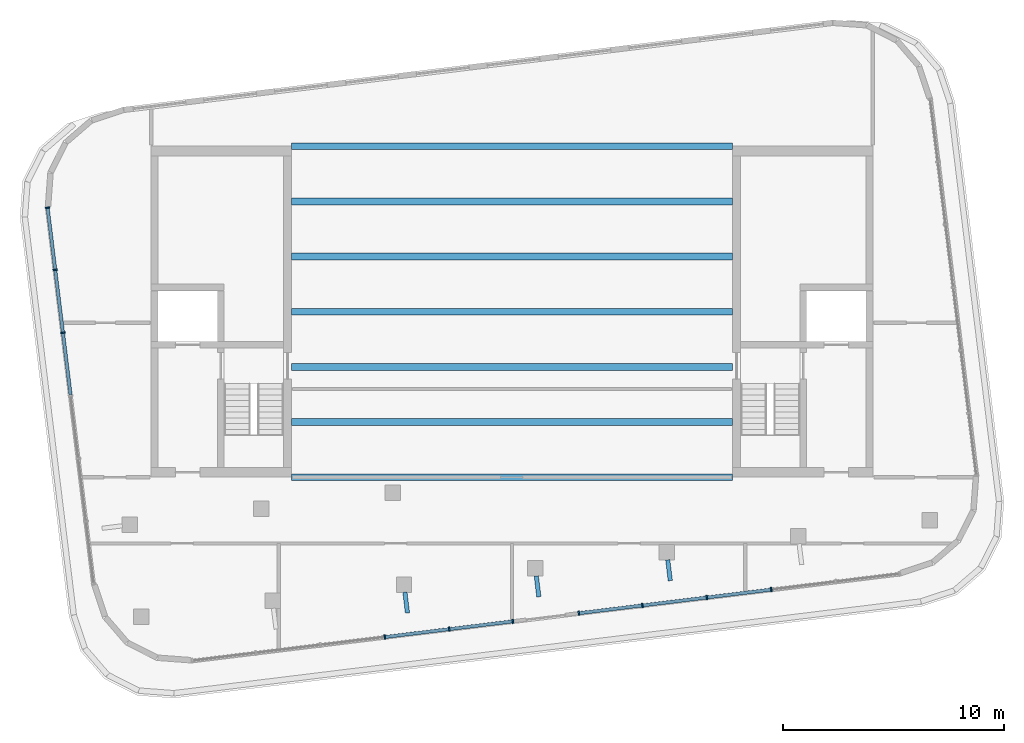
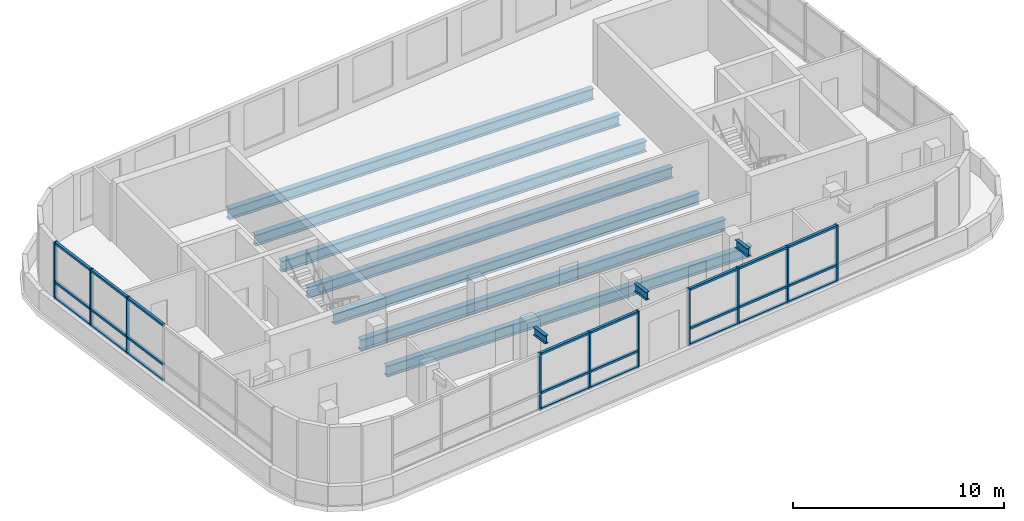
# One storey, part 2 of 8: 34 members, 10 beams, 3 elements without a shape of their own.
"""IFC4 building model written with IfcOpenShell, lengths in metres."""

from ifc_helpers import new_model, si_unit, direction, frame, origin, origin_2d, place, context, subcontext, project, spatial, rectangle, i_section, extrude, material, layer, layer_set, material_profile, profile_set, type_object, element, aggregate, save


model = new_model("IFC4")

# Units and contexts
model_context = context("Model", 3, precision=1e-05, world=origin(), true_north=direction((0.0, 1.0)))
body_context = subcontext(model_context, "Body", "Model", "MODEL_VIEW")
ifc_project = project(units=[si_unit("LENGTHUNIT", "METRE"), si_unit("AREAUNIT", "SQUARE_METRE"), si_unit("VOLUMEUNIT", "CUBIC_METRE"), si_unit("PLANEANGLEUNIT", "RADIAN"), si_unit("MASSUNIT", "GRAM", prefix="KILO")], contexts=[model_context])

# Site, building, storey
site_placement = place(None, origin())
site = spatial("IfcSite", under=ifc_project, at=site_placement, CompositionType="ELEMENT")
building_placement = place(site_placement, origin())
building = spatial("IfcBuilding", under=site, at=building_placement, Name="Torana Hotel and Residences", CompositionType="ELEMENT")
storey_placement = place(building_placement, frame((0.0, 0.0, 350.199951171875)))
storey = spatial("IfcBuildingStorey", under=building, at=storey_placement, Name="C2", CompositionType="ELEMENT", Elevation=350.199951171875)

# Beams
ifc_material_1 = material(Name="Steel S355", Category="steel")
ifc_material_profile_1 = material_profile(ifc_material_1, i_section(OverallWidth=0.19287109375, OverallDepth=0.46728515625, WebThickness=0.011474609375, FlangeThickness=0.01953125, FilletRadius=0.01025390625, at=origin_2d()), Name="457x191x98 UB")
ifc_profile_set_1 = profile_set([ifc_material_profile_1], Name="Steel S355")
beam_type_1 = type_object("IfcBeamType", Name="BALCONY CANTILEVER BEAM 457x191x98 UB", PredefinedType="BEAM", material=ifc_profile_set_1)
beam_1_placement = place(storey_placement, frame((-4.853271484375, -20.2060546875, 3.06640625), z_axis=(0.121891301525, -0.992543455277, 0.0), x_axis=(0.992543455277, 0.121891301525, 0.0)))
element("IfcBeam", 1, at=beam_1_placement, inside=storey, type_object=beam_type_1, Name="Balcony cantilever beam", PredefinedType="BEAM", context=body_context, shape_type="SweptSolid", body=[
    extrude(i_section(OverallWidth=0.19287109375, OverallDepth=0.46728515625, WebThickness=0.011474609375, FlangeThickness=0.01953125, FilletRadius=0.01025390625, at=origin_2d()), origin(), (0.0, 0.0, 1.0), 0.953369140625),
])
beam_2_placement = place(storey_placement, frame((1.101806640625, -19.47509765625, 3.06640625), z_axis=(0.121922289812, -0.992539649206, 0.0), x_axis=(0.992539649206, 0.121922289812, 0.0)))
element("IfcBeam", 2, at=beam_2_placement, inside=storey, type_object=beam_type_1, Name="Balcony cantilever beam", PredefinedType="BEAM", context=body_context, shape_type="SweptSolid", body=[
    extrude(i_section(OverallWidth=0.19287109375, OverallDepth=0.46728515625, WebThickness=0.011474609375, FlangeThickness=0.01953125, FilletRadius=0.01025390625, at=origin_2d()), origin(), (0.0, 0.0, 1.0), 0.953125),
])
beam_3_placement = place(storey_placement, frame((7.057861328125, -18.744140625, 3.06640625), z_axis=(0.121700887948, -0.99256682086, 0.0), x_axis=(0.99256682086, 0.121700887948, 0.0)))
element("IfcBeam", 3, at=beam_3_placement, inside=storey, type_object=beam_type_1, Name="Balcony cantilever beam", PredefinedType="BEAM", context=body_context, shape_type="SweptSolid", body=[
    extrude(i_section(OverallWidth=0.19287109375, OverallDepth=0.46728515625, WebThickness=0.011474609375, FlangeThickness=0.01953125, FilletRadius=0.01025390625, at=origin_2d()), origin(), (0.0, 0.0, 1.0), 0.952880859375),
])

# Curtain wall, members
ifc_material_2 = material(Name="Dark anodised aluminium", Category="aluminium")
ifc_layer = layer(ifc_material_2, 0.199951171875)
ifc_layer_set = layer_set([ifc_layer], Name="CW4 CROWN TERRACE GLAZING CURTAIN WALL")
curtain_wall_type = type_object("IfcCurtainWallType", Name="CW4 CROWN TERRACE GLAZING CURTAIN WALL", PredefinedType="NOTDEFINED", material=ifc_layer_set)
curtain_wall_1_placement = place(storey_placement, origin())
curtain_wall_1 = element("IfcCurtainWall", 4, at=curtain_wall_1_placement, inside=storey, type_object=curtain_wall_type, Name="Curtain wall CW4 C2 e0.9", PredefinedType="NOTDEFINED")
ifc_material_3 = material(Name="Dark anodised aluminium", Category="aluminium")
ifc_material_profile_2 = material_profile(ifc_material_3, rectangle(XDim=0.199951171875, YDim=0.070068359375, at=origin_2d()), Name="CW4 MULLION 70x200")
ifc_profile_set_2 = profile_set([ifc_material_profile_2], Name="Dark anodised aluminium")
member_type_1 = type_object("IfcMemberType", Name="CW4 MULLION 70x200", PredefinedType="MULLION", material=ifc_profile_set_2)
member_1_placement = place(storey_placement, frame((-21.04541015625, -2.7890625, 0.0), z_axis=(0.0, 0.0, 1.0), x_axis=(0.992546226576, 0.121868733109, 0.0)))
member_1 = element("IfcMember", 5, at=member_1_placement, type_object=member_type_1, Name="CW4 mullion 1", PredefinedType="MULLION", context=body_context, shape_type="SweptSolid", body=[
    extrude(rectangle(XDim=0.199951171875, YDim=0.070068359375, at=origin_2d()), origin(), (0.0, 0.0, 1.0), 3.320068359375),
])
member_2_placement = place(storey_placement, frame((-20.69970703125, -5.604736328125, 0.0), z_axis=(0.0, 0.0, 1.0), x_axis=(0.992546226576, 0.121868733109, 0.0)))
member_2 = element("IfcMember", 6, at=member_2_placement, type_object=member_type_1, Name="CW4 mullion 2", PredefinedType="MULLION", context=body_context, shape_type="SweptSolid", body=[
    extrude(rectangle(XDim=0.199951171875, YDim=0.070068359375, at=origin_2d()), origin(), (0.0, 0.0, 1.0), 3.320068359375),
])
member_3_placement = place(storey_placement, frame((-20.349853515625, -8.455078125, 0.0), z_axis=(0.0, 0.0, 1.0), x_axis=(0.992546226576, 0.121868733109, 0.0)))
member_3 = element("IfcMember", 7, at=member_3_placement, type_object=member_type_1, Name="CW4 mullion 3", PredefinedType="MULLION", context=body_context, shape_type="SweptSolid", body=[
    extrude(rectangle(XDim=0.199951171875, YDim=0.070068359375, at=origin_2d()), origin(), (0.0, 0.0, 1.0), 3.320068359375),
])

curtain_wall_2_placement = place(storey_placement, origin())
curtain_wall_2 = element("IfcCurtainWall", 8, at=curtain_wall_2_placement, inside=storey, type_object=curtain_wall_type, Name="Curtain wall CW4 C2 e0.14-1", PredefinedType="NOTDEFINED")
member_4_placement = place(storey_placement, frame((-5.763427734375, -22.2421875, 0.0), z_axis=(0.0, 0.0, 1.0), x_axis=(-0.121863328667, 0.99254689014, 0.0)))
member_4 = element("IfcMember", 9, at=member_4_placement, type_object=member_type_1, Name="CW4 mullion 4", PredefinedType="MULLION", context=body_context, shape_type="SweptSolid", body=[
    extrude(rectangle(XDim=0.199951171875, YDim=0.070068359375, at=origin_2d()), origin(), (0.0, 0.0, 1.0), 3.320068359375),
])
member_5_placement = place(storey_placement, frame((-2.84423828125, -21.8837890625, 0.0), z_axis=(0.0, 0.0, 1.0), x_axis=(-0.121863328667, 0.99254689014, 0.0)))
member_5 = element("IfcMember", 10, at=member_5_placement, type_object=member_type_1, Name="CW4 mullion 5", PredefinedType="MULLION", context=body_context, shape_type="SweptSolid", body=[
    extrude(rectangle(XDim=0.199951171875, YDim=0.070068359375, at=origin_2d()), origin(), (0.0, 0.0, 1.0), 3.320068359375),
])
member_6_placement = place(storey_placement, frame((0.0400390625, -21.52978515625, 0.0), z_axis=(0.0, 0.0, 1.0), x_axis=(-0.121863328667, 0.99254689014, 0.0)))
member_6 = element("IfcMember", 11, at=member_6_placement, type_object=member_type_1, Name="CW4 mullion 6", PredefinedType="MULLION", context=body_context, shape_type="SweptSolid", body=[
    extrude(rectangle(XDim=0.199951171875, YDim=0.070068359375, at=origin_2d()), origin(), (0.0, 0.0, 1.0), 3.320068359375),
])

curtain_wall_3_placement = place(storey_placement, origin())
curtain_wall_3 = element("IfcCurtainWall", 12, at=curtain_wall_3_placement, inside=storey, type_object=curtain_wall_type, Name="Curtain wall CW4 C2 e0.14-2", PredefinedType="NOTDEFINED")
member_7_placement = place(storey_placement, frame((3.028564453125, -21.162841796875, 0.0), z_axis=(0.0, 0.0, 1.0), x_axis=(-0.12187002807, 0.992546067575, 0.0)))
member_7 = element("IfcMember", 13, at=member_7_placement, type_object=member_type_1, Name="CW4 mullion 1", PredefinedType="MULLION", context=body_context, shape_type="SweptSolid", body=[
    extrude(rectangle(XDim=0.199951171875, YDim=0.070068359375, at=origin_2d()), origin(), (0.0, 0.0, 1.0), 3.320068359375),
])
member_8_placement = place(storey_placement, frame((5.912841796875, -20.80859375, 0.0), z_axis=(0.0, 0.0, 1.0), x_axis=(-0.12187002807, 0.992546067575, 0.0)))
member_8 = element("IfcMember", 14, at=member_8_placement, type_object=member_type_1, Name="CW4 mullion 2", PredefinedType="MULLION", context=body_context, shape_type="SweptSolid", body=[
    extrude(rectangle(XDim=0.199951171875, YDim=0.070068359375, at=origin_2d()), origin(), (0.0, 0.0, 1.0), 3.320068359375),
])
member_9_placement = place(storey_placement, frame((8.83203125, -20.4501953125, 0.0), z_axis=(0.0, 0.0, 1.0), x_axis=(-0.12187002807, 0.992546067575, 0.0)))
member_9 = element("IfcMember", 15, at=member_9_placement, type_object=member_type_1, Name="CW4 mullion 3", PredefinedType="MULLION", context=body_context, shape_type="SweptSolid", body=[
    extrude(rectangle(XDim=0.199951171875, YDim=0.070068359375, at=origin_2d()), origin(), (0.0, 0.0, 1.0), 3.320068359375),
])
member_10_placement = place(storey_placement, frame((11.7509765625, -20.091796875, 0.0), z_axis=(0.0, 0.0, 1.0), x_axis=(-0.12187002807, 0.992546067575, 0.0)))
member_10 = element("IfcMember", 16, at=member_10_placement, type_object=member_type_1, Name="CW4 mullion 4", PredefinedType="MULLION", context=body_context, shape_type="SweptSolid", body=[
    extrude(rectangle(XDim=0.199951171875, YDim=0.070068359375, at=origin_2d()), origin(), (0.0, 0.0, 1.0), 3.320068359375),
])

# Member
ifc_material_4 = material(Name="Dark anodised aluminium", Category="aluminium")
ifc_material_profile_3 = material_profile(ifc_material_4, rectangle(XDim=0.14990234375, YDim=0.1201171875, at=origin_2d()), Name="CW4 TRANSOM 150x120")
ifc_profile_set_3 = profile_set([ifc_material_profile_3], Name="Dark anodised aluminium")
member_type_2 = type_object("IfcMemberType", Name="CW4 TRANSOM 150x120", PredefinedType="USERDEFINED", material=ifc_profile_set_3)
member_11_placement = place(storey_placement, frame((-21.041259765625, -2.823974609375, 0.06005859375), z_axis=(0.121862324462, -0.992547013434, 0.0), x_axis=(0.992547013434, 0.121862324462, 0.0)))
member_11 = element("IfcMember", 17, at=member_11_placement, type_object=member_type_2, Name="CW4 transom 1.1", ObjectType="TRANSOM", PredefinedType="USERDEFINED", context=body_context, shape_type="SweptSolid", body=[
    extrude(rectangle(XDim=0.14990234375, YDim=0.1201171875, at=origin_2d()), origin(), (0.0, 0.0, 1.0), 2.7666015625),
])

member_12_placement = place(storey_placement, frame((-21.041259765625, -2.823974609375, 1.0), z_axis=(0.121862324462, -0.992547013434, 0.0), x_axis=(0.992547013434, 0.121862324462, 0.0)))
member_12 = element("IfcMember", 18, at=member_12_placement, type_object=member_type_2, Name="CW4 transom 1.2", ObjectType="TRANSOM", PredefinedType="USERDEFINED", context=body_context, shape_type="SweptSolid", body=[
    extrude(rectangle(XDim=0.14990234375, YDim=0.1201171875, at=origin_2d()), origin(), (0.0, 0.0, 1.0), 2.7666015625),
])

member_13_placement = place(storey_placement, frame((-21.041259765625, -2.823974609375, 3.260009765625), z_axis=(0.121862324462, -0.992547013434, 0.0), x_axis=(0.992547013434, 0.121862324462, 0.0)))
member_13 = element("IfcMember", 19, at=member_13_placement, type_object=member_type_2, Name="CW4 transom 1.3", ObjectType="TRANSOM", PredefinedType="USERDEFINED", context=body_context, shape_type="SweptSolid", body=[
    extrude(rectangle(XDim=0.14990234375, YDim=0.1201171875, at=origin_2d()), origin(), (0.0, 0.0, 1.0), 2.7666015625),
])

member_14_placement = place(storey_placement, frame((-20.695556640625, -5.6396484375, 0.06005859375), z_axis=(0.121910880583, -0.992541050635, 0.0), x_axis=(0.992541050635, 0.121910880583, 0.0)))
member_14 = element("IfcMember", 20, at=member_14_placement, type_object=member_type_2, Name="CW4 transom 2.1", ObjectType="TRANSOM", PredefinedType="USERDEFINED", context=body_context, shape_type="SweptSolid", body=[
    extrude(rectangle(XDim=0.14990234375, YDim=0.1201171875, at=origin_2d()), origin(), (0.0, 0.0, 1.0), 2.8017578125),
])

member_15_placement = place(storey_placement, frame((-20.695556640625, -5.6396484375, 1.0), z_axis=(0.121910880583, -0.992541050635, 0.0), x_axis=(0.992541050635, 0.121910880583, 0.0)))
member_15 = element("IfcMember", 21, at=member_15_placement, type_object=member_type_2, Name="CW4 transom 2.2", ObjectType="TRANSOM", PredefinedType="USERDEFINED", context=body_context, shape_type="SweptSolid", body=[
    extrude(rectangle(XDim=0.14990234375, YDim=0.1201171875, at=origin_2d()), origin(), (0.0, 0.0, 1.0), 2.8017578125),
])

member_16_placement = place(storey_placement, frame((-20.695556640625, -5.6396484375, 3.260009765625), z_axis=(0.121910880583, -0.992541050635, 0.0), x_axis=(0.992541050635, 0.121910880583, 0.0)))
member_16 = element("IfcMember", 22, at=member_16_placement, type_object=member_type_2, Name="CW4 transom 2.3", ObjectType="TRANSOM", PredefinedType="USERDEFINED", context=body_context, shape_type="SweptSolid", body=[
    extrude(rectangle(XDim=0.14990234375, YDim=0.1201171875, at=origin_2d()), origin(), (0.0, 0.0, 1.0), 2.8017578125),
])

member_17_placement = place(storey_placement, frame((-20.345458984375, -8.489990234375, 0.06005859375), z_axis=(0.121910880583, -0.992541050635, 0.0), x_axis=(0.992541050635, 0.121910880583, 0.0)))
member_17 = element("IfcMember", 23, at=member_17_placement, type_object=member_type_2, Name="CW4 transom 3.1", ObjectType="TRANSOM", PredefinedType="USERDEFINED", context=body_context, shape_type="SweptSolid", body=[
    extrude(rectangle(XDim=0.14990234375, YDim=0.1201171875, at=origin_2d()), origin(), (0.0, 0.0, 1.0), 2.8017578125),
])

member_18_placement = place(storey_placement, frame((-20.345458984375, -8.489990234375, 1.0), z_axis=(0.121910880583, -0.992541050635, 0.0), x_axis=(0.992541050635, 0.121910880583, 0.0)))
member_18 = element("IfcMember", 24, at=member_18_placement, type_object=member_type_2, Name="CW4 transom 3.2", ObjectType="TRANSOM", PredefinedType="USERDEFINED", context=body_context, shape_type="SweptSolid", body=[
    extrude(rectangle(XDim=0.14990234375, YDim=0.1201171875, at=origin_2d()), origin(), (0.0, 0.0, 1.0), 2.8017578125),
])

member_19_placement = place(storey_placement, frame((-20.345458984375, -8.489990234375, 3.260009765625), z_axis=(0.121910880583, -0.992541050635, 0.0), x_axis=(0.992541050635, 0.121910880583, 0.0)))
member_19 = element("IfcMember", 25, at=member_19_placement, type_object=member_type_2, Name="CW4 transom 3.3", ObjectType="TRANSOM", PredefinedType="USERDEFINED", context=body_context, shape_type="SweptSolid", body=[
    extrude(rectangle(XDim=0.14990234375, YDim=0.1201171875, at=origin_2d()), origin(), (0.0, 0.0, 1.0), 2.8017578125),
])

aggregate(curtain_wall_1, [member_1, member_2, member_3, member_11, member_12, member_13, member_14, member_15, member_16, member_17, member_18, member_19])

member_20_placement = place(storey_placement, frame((-5.728515625, -22.238037109375, 0.06005859375), z_axis=(0.992547605974, 0.121857498232, 0.0), x_axis=(-0.121857498232, 0.992547605974, 0.0)))
member_20 = element("IfcMember", 26, at=member_20_placement, type_object=member_type_2, Name="CW4 transom 4.1", ObjectType="TRANSOM", PredefinedType="USERDEFINED", context=body_context, shape_type="SweptSolid", body=[
    extrude(rectangle(XDim=0.14990234375, YDim=0.1201171875, at=origin_2d()), origin(), (0.0, 0.0, 1.0), 2.87109375),
])

member_21_placement = place(storey_placement, frame((-5.728515625, -22.238037109375, 1.0), z_axis=(0.992547605974, 0.121857498232, 0.0), x_axis=(-0.121857498232, 0.992547605974, 0.0)))
member_21 = element("IfcMember", 27, at=member_21_placement, type_object=member_type_2, Name="CW4 transom 4.2", ObjectType="TRANSOM", PredefinedType="USERDEFINED", context=body_context, shape_type="SweptSolid", body=[
    extrude(rectangle(XDim=0.14990234375, YDim=0.1201171875, at=origin_2d()), origin(), (0.0, 0.0, 1.0), 2.87109375),
])

member_22_placement = place(storey_placement, frame((-5.728515625, -22.238037109375, 3.260009765625), z_axis=(0.992547605974, 0.121857498232, 0.0), x_axis=(-0.121857498232, 0.992547605974, 0.0)))
member_22 = element("IfcMember", 28, at=member_22_placement, type_object=member_type_2, Name="CW4 transom 4.3", ObjectType="TRANSOM", PredefinedType="USERDEFINED", context=body_context, shape_type="SweptSolid", body=[
    extrude(rectangle(XDim=0.14990234375, YDim=0.1201171875, at=origin_2d()), origin(), (0.0, 0.0, 1.0), 2.87109375),
])

member_23_placement = place(storey_placement, frame((-2.8095703125, -21.879638671875, 0.06005859375), z_axis=(0.992543089848, 0.121894277123, 0.0), x_axis=(-0.121894277123, 0.992543089848, 0.0)))
member_23 = element("IfcMember", 29, at=member_23_placement, type_object=member_type_2, Name="CW4 transom 5.1", ObjectType="TRANSOM", PredefinedType="USERDEFINED", context=body_context, shape_type="SweptSolid", body=[
    extrude(rectangle(XDim=0.14990234375, YDim=0.1201171875, at=origin_2d()), origin(), (0.0, 0.0, 1.0), 2.836181640625),
])

member_24_placement = place(storey_placement, frame((-2.8095703125, -21.879638671875, 1.0), z_axis=(0.992543089848, 0.121894277123, 0.0), x_axis=(-0.121894277123, 0.992543089848, 0.0)))
member_24 = element("IfcMember", 30, at=member_24_placement, type_object=member_type_2, Name="CW4 transom 5.2", ObjectType="TRANSOM", PredefinedType="USERDEFINED", context=body_context, shape_type="SweptSolid", body=[
    extrude(rectangle(XDim=0.14990234375, YDim=0.1201171875, at=origin_2d()), origin(), (0.0, 0.0, 1.0), 2.836181640625),
])

member_25_placement = place(storey_placement, frame((-2.8095703125, -21.879638671875, 3.260009765625), z_axis=(0.992543089848, 0.121894277123, 0.0), x_axis=(-0.121894277123, 0.992543089848, 0.0)))
member_25 = element("IfcMember", 31, at=member_25_placement, type_object=member_type_2, Name="CW4 transom 5.3", ObjectType="TRANSOM", PredefinedType="USERDEFINED", context=body_context, shape_type="SweptSolid", body=[
    extrude(rectangle(XDim=0.14990234375, YDim=0.1201171875, at=origin_2d()), origin(), (0.0, 0.0, 1.0), 2.836181640625),
])

aggregate(curtain_wall_2, [member_4, member_5, member_6, member_20, member_21, member_22, member_23, member_24, member_25])

member_26_placement = place(storey_placement, frame((3.063232421875, -21.158447265625, 0.06005859375), z_axis=(0.992543089848, 0.121894277123, 0.0), x_axis=(-0.121894277123, 0.992543089848, 0.0)))
member_26 = element("IfcMember", 32, at=member_26_placement, type_object=member_type_2, Name="CW4 transom 1.1", ObjectType="TRANSOM", PredefinedType="USERDEFINED", context=body_context, shape_type="SweptSolid", body=[
    extrude(rectangle(XDim=0.14990234375, YDim=0.1201171875, at=origin_2d()), origin(), (0.0, 0.0, 1.0), 2.836181640625),
])

member_27_placement = place(storey_placement, frame((3.063232421875, -21.158447265625, 1.0), z_axis=(0.992543089848, 0.121894277123, 0.0), x_axis=(-0.121894277123, 0.992543089848, 0.0)))
member_27 = element("IfcMember", 33, at=member_27_placement, type_object=member_type_2, Name="CW4 transom 1.2", ObjectType="TRANSOM", PredefinedType="USERDEFINED", context=body_context, shape_type="SweptSolid", body=[
    extrude(rectangle(XDim=0.14990234375, YDim=0.1201171875, at=origin_2d()), origin(), (0.0, 0.0, 1.0), 2.836181640625),
])

member_28_placement = place(storey_placement, frame((3.063232421875, -21.158447265625, 3.260009765625), z_axis=(0.992543089848, 0.121894277123, 0.0), x_axis=(-0.121894277123, 0.992543089848, 0.0)))
member_28 = element("IfcMember", 34, at=member_28_placement, type_object=member_type_2, Name="CW4 transom 1.3", ObjectType="TRANSOM", PredefinedType="USERDEFINED", context=body_context, shape_type="SweptSolid", body=[
    extrude(rectangle(XDim=0.14990234375, YDim=0.1201171875, at=origin_2d()), origin(), (0.0, 0.0, 1.0), 2.836181640625),
])

member_29_placement = place(storey_placement, frame((5.947509765625, -20.80419921875, 0.06005859375), z_axis=(0.992547605974, 0.121857498232, 0.0), x_axis=(-0.121857498232, 0.992547605974, 0.0)))
member_29 = element("IfcMember", 35, at=member_29_placement, type_object=member_type_2, Name="CW4 transom 2.1", ObjectType="TRANSOM", PredefinedType="USERDEFINED", context=body_context, shape_type="SweptSolid", body=[
    extrude(rectangle(XDim=0.14990234375, YDim=0.1201171875, at=origin_2d()), origin(), (0.0, 0.0, 1.0), 2.87109375),
])

member_30_placement = place(storey_placement, frame((5.947509765625, -20.80419921875, 1.0), z_axis=(0.992547605974, 0.121857498232, 0.0), x_axis=(-0.121857498232, 0.992547605974, 0.0)))
member_30 = element("IfcMember", 36, at=member_30_placement, type_object=member_type_2, Name="CW4 transom 2.2", ObjectType="TRANSOM", PredefinedType="USERDEFINED", context=body_context, shape_type="SweptSolid", body=[
    extrude(rectangle(XDim=0.14990234375, YDim=0.1201171875, at=origin_2d()), origin(), (0.0, 0.0, 1.0), 2.87109375),
])

member_31_placement = place(storey_placement, frame((5.947509765625, -20.80419921875, 3.260009765625), z_axis=(0.992547605974, 0.121857498232, 0.0), x_axis=(-0.121857498232, 0.992547605974, 0.0)))
member_31 = element("IfcMember", 37, at=member_31_placement, type_object=member_type_2, Name="CW4 transom 2.3", ObjectType="TRANSOM", PredefinedType="USERDEFINED", context=body_context, shape_type="SweptSolid", body=[
    extrude(rectangle(XDim=0.14990234375, YDim=0.1201171875, at=origin_2d()), origin(), (0.0, 0.0, 1.0), 2.87109375),
])

member_32_placement = place(storey_placement, frame((8.86669921875, -20.44580078125, 0.06005859375), z_axis=(0.992547605974, 0.121857498232, 0.0), x_axis=(-0.121857498232, 0.992547605974, 0.0)))
member_32 = element("IfcMember", 38, at=member_32_placement, type_object=member_type_2, Name="CW4 transom 3.1", ObjectType="TRANSOM", PredefinedType="USERDEFINED", context=body_context, shape_type="SweptSolid", body=[
    extrude(rectangle(XDim=0.14990234375, YDim=0.1201171875, at=origin_2d()), origin(), (0.0, 0.0, 1.0), 2.87109375),
])

member_33_placement = place(storey_placement, frame((8.86669921875, -20.44580078125, 1.0), z_axis=(0.992547605974, 0.121857498232, 0.0), x_axis=(-0.121857498232, 0.992547605974, 0.0)))
member_33 = element("IfcMember", 39, at=member_33_placement, type_object=member_type_2, Name="CW4 transom 3.2", ObjectType="TRANSOM", PredefinedType="USERDEFINED", context=body_context, shape_type="SweptSolid", body=[
    extrude(rectangle(XDim=0.14990234375, YDim=0.1201171875, at=origin_2d()), origin(), (0.0, 0.0, 1.0), 2.87109375),
])

member_34_placement = place(storey_placement, frame((8.86669921875, -20.44580078125, 3.260009765625), z_axis=(0.992547605974, 0.121857498232, 0.0), x_axis=(-0.121857498232, 0.992547605974, 0.0)))
member_34 = element("IfcMember", 40, at=member_34_placement, type_object=member_type_2, Name="CW4 transom 3.3", ObjectType="TRANSOM", PredefinedType="USERDEFINED", context=body_context, shape_type="SweptSolid", body=[
    extrude(rectangle(XDim=0.14990234375, YDim=0.1201171875, at=origin_2d()), origin(), (0.0, 0.0, 1.0), 2.87109375),
])

aggregate(curtain_wall_3, [member_7, member_8, member_9, member_10, member_26, member_27, member_28, member_29, member_30, member_31, member_32, member_33, member_34])

# Beams
ifc_material_5 = material(Name="Steel S355", Category="steel")
ifc_material_profile_4 = material_profile(ifc_material_5, i_section(OverallWidth=0.311279296875, OverallDepth=0.6357421875, WebThickness=0.018310546875, FlangeThickness=0.031494140625, FilletRadius=0.0166015625, at=origin_2d()), Name="610x305x238 UB")
ifc_profile_set_4 = profile_set([ifc_material_profile_4], Name="Steel S355")
beam_type_2 = type_object("IfcBeamType", Name="STEEL GIRDER 610x305x238 UB", PredefinedType="BEAM", material=ifc_profile_set_4)
for number, where, z_axis, x_axis, name in (
    (41, (-10.0, -15.0, -0.597900390625), (1.0, 0.0, 0.0), (0.0, 1.0, 0.0), "Floor girder"),
    (42, (-10.0, -12.5, -0.597900390625), (1.0, 0.0, 0.0), (0.0, 1.0, 0.0), "Floor girder"),
    (43, (-10.0, -10.0, -0.597900390625), (1.0, 0.0, 0.0), (0.0, 1.0, 0.0), "Floor girder"),
    (44, (-10.0, -7.5, -0.597900390625), (1.0, 0.0, 0.0), (0.0, 1.0, 0.0), "Floor girder"),
    (45, (-10.0, -5.0, -0.597900390625), (1.0, 0.0, 0.0), (0.0, 1.0, 0.0), "Floor girder"),
    (46, (-10.0, -2.5, -0.597900390625), (1.0, 0.0, 0.0), (0.0, 1.0, 0.0), "Floor girder"),
    (47, (-10.0, 0.0, -0.597900390625), (1.0, 0.0, 0.0), (0.0, 1.0, 0.0), "Floor girder"),
):
    element("IfcBeam", number, at=place(storey_placement, frame(where, z_axis=z_axis, x_axis=x_axis)), inside=storey, type_object=beam_type_2, Name=name, PredefinedType="BEAM", context=body_context, shape_type="SweptSolid", body=[
        extrude(i_section(OverallWidth=0.311279296875, OverallDepth=0.6357421875, WebThickness=0.018310546875, FlangeThickness=0.031494140625, FilletRadius=0.0166015625, at=origin_2d()), origin(), (0.0, 0.0, 1.0), 20.0),
    ])

save(model, "model.ifc")
